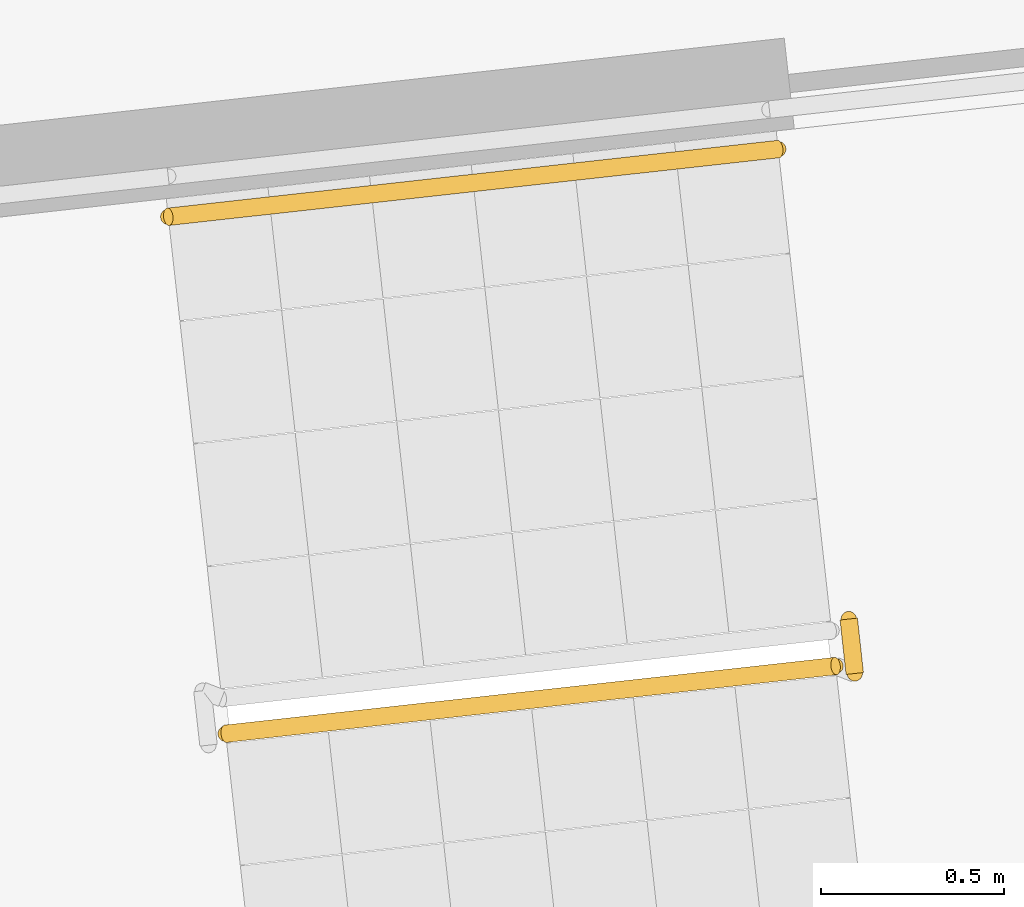
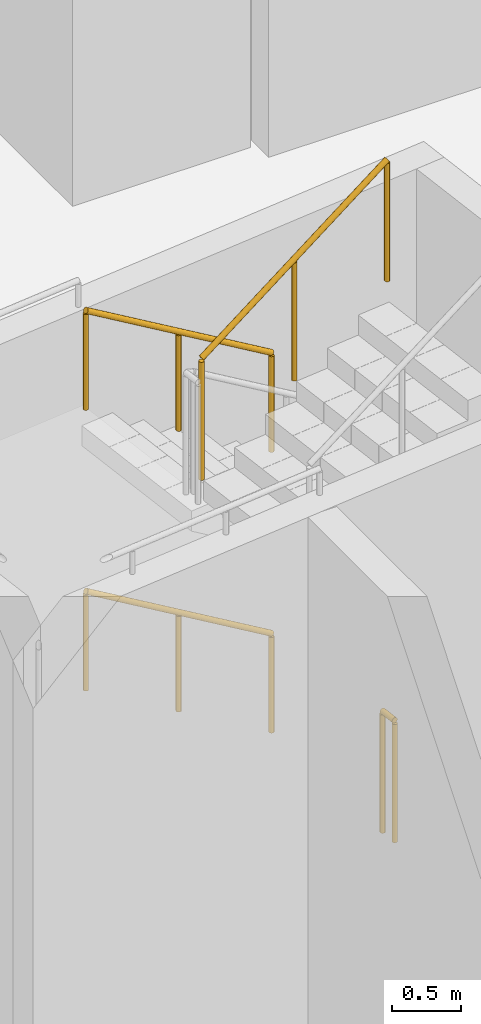
# One storey, part 16 of 20: 4 railings.
"""IFC4 building model written with IfcOpenShell, lengths in metres."""

from ifc_helpers import new_model, si_unit, direction, frame, origin, origin_2d, place, context, subcontext, project, spatial, circle, extrude, material, type_object, element, save


model = new_model("IFC4")

# Units and contexts
model_context = context("Model", 3, precision=1e-05, world=origin(), true_north=direction((0.0, 1.0)))
body_context = subcontext(model_context, "Body", "Model", "MODEL_VIEW")
ifc_project = project(units=[si_unit("LENGTHUNIT", "METRE"), si_unit("AREAUNIT", "SQUARE_METRE"), si_unit("VOLUMEUNIT", "CUBIC_METRE"), si_unit("PLANEANGLEUNIT", "RADIAN"), si_unit("MASSUNIT", "GRAM", prefix="KILO")], contexts=[model_context])

# Site, building, storey
site_placement = place(None, origin())
site = spatial("IfcSite", under=ifc_project, at=site_placement, CompositionType="ELEMENT")
building_placement = place(site_placement, origin())
building = spatial("IfcBuilding", under=site, at=building_placement, Name="Cantera Rosa Tower", CompositionType="ELEMENT")
storey_placement = place(building_placement, frame((0.0, 0.0, -5.0)))
storey = spatial("IfcBuildingStorey", under=building, at=storey_placement, Name="B1", CompositionType="ELEMENT", Elevation=-5.0)

# Railings
ifc_material_1 = material(Name="Steel S355J2 (EN 10025-2)", Category="steel")
railing_type_1 = type_object("IfcRailingType", Name="STAIR GUARD 1100", PredefinedType="GUARDRAIL", material=ifc_material_1)
railing_1_placement = place(storey_placement, frame((12.3271484375, 11.92041015625, 3.928466796875)))
element("IfcRailing", 1, at=railing_1_placement, inside=storey, type_object=railing_type_1, Name="B1 ST-11 stair guard 4", PredefinedType="GUARDRAIL", context=body_context, shape_type="SweptSolid", body=[
    extrude(circle(Radius=0.02392578125, at=origin_2d()), frame((0.0, 0.0, 1.076171875), z_axis=(0.837950904326, 0.092996744609, 0.537763784046), x_axis=(-0.110303920128, 0.993897904819, 0.0)), (0.0, 0.0, 1.0), 1.99267578125),
    extrude(circle(Radius=0.02099609375, at=origin_2d()), origin(), (0.0, 0.0, 1.0), 1.052001953125),
    extrude(circle(Radius=0.02099609375, at=origin_2d()), frame((0.8349609375, 0.0927734375, 0.53564453125)), (0.0, 0.0, 1.0), 1.052001953125),
    extrude(circle(Radius=0.02099609375, at=origin_2d()), frame((1.669677734375, 0.185302734375, 1.071533203125)), (0.0, 0.0, 1.0), 1.052001953125),
])
railing_2_placement = place(storey_placement, frame((14.032958984375, 12.234375, 0.0)))
element("IfcRailing", 2, at=railing_2_placement, inside=storey, type_object=railing_type_1, Name="B1 ST-11 stair guard 5", PredefinedType="GUARDRAIL", context=body_context, shape_type="SweptSolid", body=[
    extrude(circle(Radius=0.02392578125, at=origin_2d()), frame((0.0, 0.0, 1.076171875), z_axis=(0.109179471459, -0.994022053584, 0.0), x_axis=(0.994022053584, 0.109179471459, 0.0)), (0.0, 0.0, 1.0), 0.14990234375),
    extrude(circle(Radius=0.02099609375, at=origin_2d()), origin(), (0.0, 0.0, 1.0), 1.052001953125),
    extrude(circle(Radius=0.02099609375, at=origin_2d()), frame((0.016357421875, -0.14892578125, 0.0)), (0.0, 0.0, 1.0), 1.052001953125),
])
ifc_material_2 = material(Name="Steel S355J2 (EN 10025-2)", Category="steel")
railing_type_2 = type_object("IfcRailingType", Name="STAIR HANDRAIL 900", PredefinedType="HANDRAIL", material=ifc_material_2)
for number, where, name in (
    (3, (13.83984375, 13.52099609375, 0.178466796875), "B1 ST-11 stair handrail 1"),
    (4, (13.83984375, 13.52099609375, 2.678466796875), "B1 ST-11 stair handrail 3"),
):
    element("IfcRailing", number, at=place(storey_placement, frame(where)), inside=storey, type_object=railing_type_2, Name=name, PredefinedType="HANDRAIL", context=body_context, shape_type="SweptSolid", body=[
        extrude(circle(Radius=0.02392578125, at=origin_2d()), frame((0.0, 0.0, 0.8759765625), z_axis=(-0.837987391448, -0.092987197384, 0.537708576179), x_axis=(0.11028798999, -0.993899672635, 0.0)), (0.0, 0.0, 1.0), 1.99267578125),
        extrude(circle(Radius=0.02099609375, at=origin_2d()), origin(), (0.0, 0.0, 1.0), 0.851806640625),
        extrude(circle(Radius=0.02099609375, at=origin_2d()), frame((-0.8349609375, -0.0927734375, 0.53564453125)), (0.0, 0.0, 1.0), 0.851806640625),
        extrude(circle(Radius=0.02099609375, at=origin_2d()), frame((-1.669921875, -0.185302734375, 1.071533203125)), (0.0, 0.0, 1.0), 0.851806640625),
    ])

save(model, "model.ifc")
